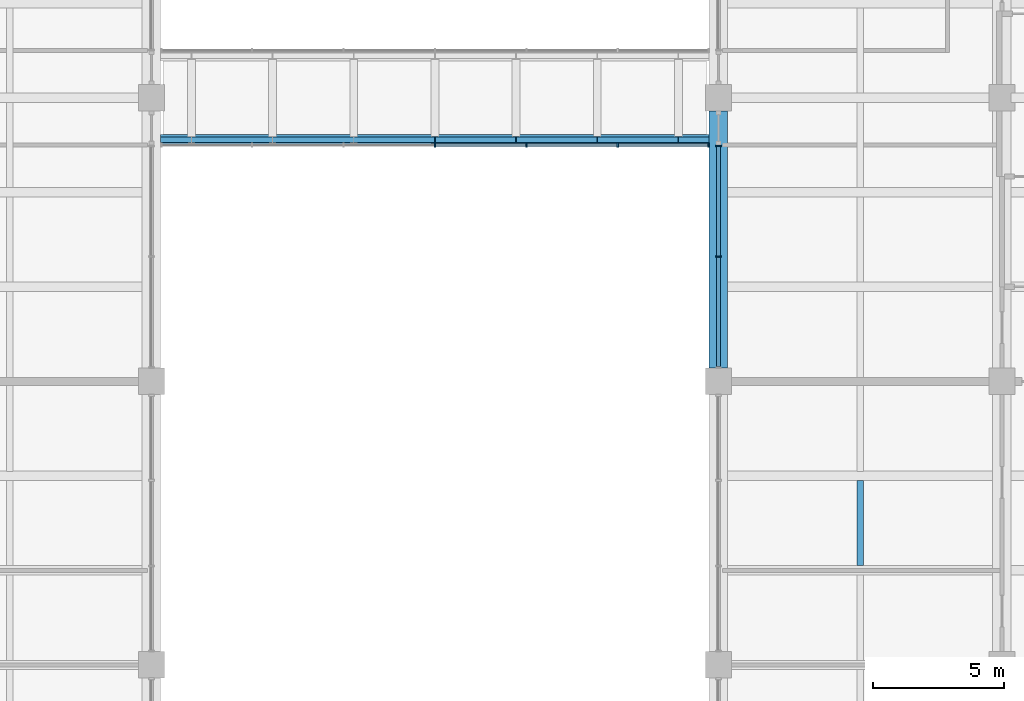
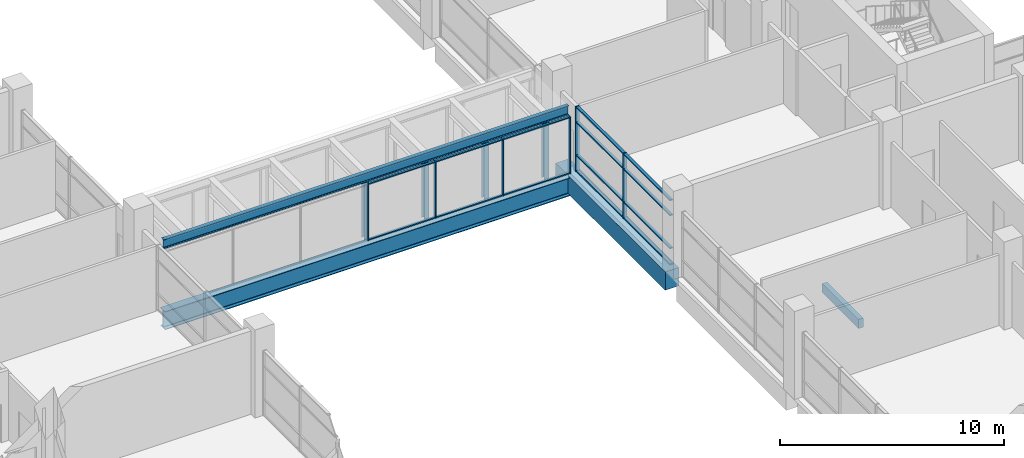
# One storey, part 6 of 35: 25 members, 3 beams, 2 elements without a shape of their own.
"""IFC4 building model written with IfcOpenShell, lengths in metres."""

import ifcopenshell
import ifcopenshell.guid

model = None  # the IFC model being written
_history = None  # IfcOwnerHistory: only IFC2X3 demands one
_inside = {}  # id of a spatial element -> (the spatial element, [elements in it])
_under = {}  # id of a project, library or spatial element -> (it, [spatial elements below it])
_declared = {}  # id of a project -> (the project, [libraries it declares])
_typed = {}  # id of a type object -> (the type object, [elements of that type])
_made_of = {}  # id of a material, layer set ... -> (it, [elements and type objects made of it])


def new_model(schema):
    """Start an empty IFC model of exactly this schema.

    Asked for "IFC4X3", IfcOpenShell would pick the latest addendum, in which some entities
    have other attributes; the version numbers below select the first issue.
    IFC2X3 requires an IfcOwnerHistory on every rooted entity: one is made here for all.
    """
    global model, _history
    if schema == "IFC4X3":
        model = ifcopenshell.file(schema_version=(4, 3, 0, 0))
    else:
        model = ifcopenshell.file(schema=schema)
    _inside.clear()
    _under.clear()
    _declared.clear()
    _typed.clear()
    _made_of.clear()
    _history = None
    if model.schema == "IFC2X3":
        org = make("IfcOrganization", Name="unknown")
        user = make(
            "IfcPersonAndOrganization",
            ThePerson=make("IfcPerson", FamilyName="unknown"),
            TheOrganization=org,
        )
        app = make(
            "IfcApplication",
            ApplicationDeveloper=org,
            Version="unknown",
            ApplicationFullName="unknown",
            ApplicationIdentifier="unknown",
        )
        _history = make(
            "IfcOwnerHistory",
            OwningUser=user,
            OwningApplication=app,
            ChangeAction="ADDED",
            CreationDate=0,
        )
    return model


def make(cls, **values):
    """One entity of the class cls with the attributes given. An attribute that is None is left unset."""
    return model.create_entity(
        cls, **{name: value for name, value in values.items() if value is not None}
    )


def rooted(cls, **values):
    """An entity with a GlobalId (a new one), such as an element, a storey or a relation."""
    return make(cls, GlobalId=ifcopenshell.guid.new(), OwnerHistory=_history, **values)


def si_unit(unit_type, name, prefix=None):
    """IfcSIUnit, for example si_unit("LENGTHUNIT", "METRE", prefix="MILLI")."""
    return make("IfcSIUnit", UnitType=unit_type, Prefix=prefix, Name=name)


def assignment(units):
    """IfcUnitAssignment: the units of a project."""
    return None if units is None else make("IfcUnitAssignment", Units=units)


def point(xyz):
    """IfcCartesianPoint."""
    return None if xyz is None else make("IfcCartesianPoint", Coordinates=xyz)


def direction(xyz):
    """IfcDirection."""
    return None if xyz is None else make("IfcDirection", DirectionRatios=xyz)


def frame(location, z_axis=None, x_axis=None):
    """IfcAxis2Placement3D, a coordinate frame: its origin and axes. An axis left out is left unset."""
    return make(
        "IfcAxis2Placement3D",
        Location=point(location),
        Axis=direction(z_axis),
        RefDirection=direction(x_axis),
    )


def frame_2d(location, x_axis=None):
    """IfcAxis2Placement2D, a coordinate frame in the plane: its origin and x axis."""
    return make(
        "IfcAxis2Placement2D", Location=point(location), RefDirection=direction(x_axis)
    )


def origin():
    """The frame at (0, 0, 0) with its axes left unset."""
    return frame((0.0, 0.0, 0.0))


def origin_2d():
    """The frame at (0, 0) in the plane with its x axis left unset."""
    return frame_2d((0.0, 0.0))


def place(relative_to, where):
    """IfcLocalPlacement: puts the frame where relative to a parent placement (None: the world)."""
    return make(
        "IfcLocalPlacement", PlacementRelTo=relative_to, RelativePlacement=where
    )


def context(
    kind, dimensions, precision=None, world=None, true_north=None, identifier=None
):
    """IfcGeometricRepresentationContext, for example the 3D "Model" context."""
    return make(
        "IfcGeometricRepresentationContext",
        ContextIdentifier=identifier,
        ContextType=kind,
        CoordinateSpaceDimension=dimensions,
        Precision=precision,
        WorldCoordinateSystem=world,
        TrueNorth=true_north,
    )


def subcontext(parent, identifier, kind, view, scale=None):
    """IfcGeometricRepresentationSubContext, for example "Body" below "Model"."""
    return make(
        "IfcGeometricRepresentationSubContext",
        ContextIdentifier=identifier,
        ContextType=kind,
        ParentContext=parent,
        TargetScale=scale,
        TargetView=view,
    )


def project(units=None, contexts=None):
    """IfcProject with its units and contexts."""
    return rooted(
        "IfcProject",
        Name="project",
        RepresentationContexts=contexts,
        UnitsInContext=assignment(units),
    )


def spatial(cls, under=None, at=None, **own):
    """A site, building, storey or space (cls), placed at a placement, below another one or the project."""
    s = rooted(cls, ObjectPlacement=at, **own)
    if under is not None:
        _under.setdefault(under.id(), (under, []))[1].append(s)
    return s


def profile(cls, at=None, kind="AREA", **sizes):
    """A parametric profile (cls). Its sizes go by their IFC names, for example OverallWidth=200.0."""
    return make(cls, ProfileType=kind, Position=at, **sizes)


def rectangle(**sizes):
    """IfcRectangleProfileDef."""
    return profile("IfcRectangleProfileDef", **sizes)


def i_section(**sizes):
    """IfcIShapeProfileDef."""
    return profile("IfcIShapeProfileDef", **sizes)


def extrude(swept, where, along, depth):
    """IfcExtrudedAreaSolid: the profile swept, set in the frame where, extruded along a direction by depth."""
    return make(
        "IfcExtrudedAreaSolid",
        SweptArea=swept,
        Position=where,
        ExtrudedDirection=direction(along),
        Depth=depth,
    )


def shape(context_of_items, identifier, shape_type, items):
    """IfcShapeRepresentation: the items that make up one representation, for example the "Body"."""
    return make(
        "IfcShapeRepresentation",
        ContextOfItems=context_of_items,
        RepresentationIdentifier=identifier,
        RepresentationType=shape_type,
        Items=items,
    )


def material(Name=None, Category=None):
    """IfcMaterial."""
    return make("IfcMaterial", Name=Name, Category=Category)


def layer(
    of_material, thickness, ventilated=None, Name=None, Category=None, Priority=None
):
    """IfcMaterialLayer: one layer of a wall or slab, of a material (None: an air gap)."""
    return make(
        "IfcMaterialLayer",
        Material=of_material,
        LayerThickness=thickness,
        IsVentilated=ventilated,
        Name=Name,
        Category=Category,
        Priority=Priority,
    )


def layer_set(layers, Name=None):
    """IfcMaterialLayerSet."""
    return make("IfcMaterialLayerSet", MaterialLayers=layers, LayerSetName=Name)


def material_profile(
    of_material, cross_section, Name=None, Category=None, Priority=None
):
    """IfcMaterialProfile: a cross section and its material."""
    return make(
        "IfcMaterialProfile",
        Name=Name,
        Material=of_material,
        Profile=cross_section,
        Priority=Priority,
        Category=Category,
    )


def profile_set(profiles, Name=None, composite=None):
    """IfcMaterialProfileSet."""
    return make(
        "IfcMaterialProfileSet",
        Name=Name,
        MaterialProfiles=profiles,
        CompositeProfile=composite,
    )


def made_of(thing, what):
    """Note that an element or type object is made of a material, layer set ...; save() writes the relation."""
    if what is not None:
        _made_of.setdefault(what.id(), (what, []))[1].append(thing)
    return thing


def type_object(cls, material=None, **own):
    """A type object (cls), such as IfcWallType, which elements share."""
    return made_of(rooted(cls, **own), material)


def element(
    cls,
    number,
    at=None,
    inside=None,
    cuts=None,
    type_object=None,
    material=None,
    context=None,
    identifier="Body",
    shape_type=None,
    held_by="IfcProductDefinitionShape",
    body=None,
    shapes=None,
    **own,
):
    """One element of the class cls, such as IfcWall. Its Tag is "e" and its number.

    at: its placement. inside: the storey or other place that contains it. cuts: it is an
    opening in that element (IfcRelVoidsElement). A single representation is given by context,
    identifier, shape_type and body (its items); several are given by shapes. held_by: the class
    of the entity that holds the representations. save() writes the other relations.
    """
    e = rooted(cls, Tag="e%d" % number, ObjectPlacement=at, **own)
    if body is not None:
        shapes = [shape(context, identifier, shape_type, body)]
    if shapes is not None:
        e.Representation = make(held_by, Representations=shapes)
    if inside is not None:
        _inside.setdefault(inside.id(), (inside, []))[1].append(e)
    if cuts is not None:
        rooted(
            "IfcRelVoidsElement", RelatingBuildingElement=cuts, RelatedOpeningElement=e
        )
    if type_object is not None:
        _typed.setdefault(type_object.id(), (type_object, []))[1].append(e)
    return made_of(e, material)


def aggregate(whole, parts):
    """IfcRelAggregates: a whole, such as a stair, and the parts it consists of."""
    return rooted("IfcRelAggregates", RelatingObject=whole, RelatedObjects=parts)


def save(model, path):
    """Write the relations noted so far, then the file.

    IfcRelAggregates (storeys below a building ...), IfcRelContainedInSpatialStructure (elements
    in a storey), IfcRelDefinesByType, IfcRelAssociatesMaterial and IfcRelDeclares: one each for
    every whole, place, type object, material and project.
    """
    for whole, parts in _under.values():
        aggregate(whole, parts)
    for where, things in _inside.values():
        rooted(
            "IfcRelContainedInSpatialStructure",
            RelatedElements=things,
            RelatingStructure=where,
        )
    for kind, things in _typed.values():
        rooted("IfcRelDefinesByType", RelatedObjects=things, RelatingType=kind)
    for what, things in _made_of.values():
        rooted("IfcRelAssociatesMaterial", RelatedObjects=things, RelatingMaterial=what)
    for by, libraries in _declared.values():
        rooted("IfcRelDeclares", RelatingContext=by, RelatedDefinitions=libraries)
    model.write(path)


model = new_model("IFC4")

# Units and contexts
model_context = context("Model", 3, precision=1e-05, world=origin(), true_north=direction((0.0, 1.0)))
body_context = subcontext(model_context, "Body", "Model", "MODEL_VIEW")
ifc_project = project(units=[si_unit("LENGTHUNIT", "METRE"), si_unit("AREAUNIT", "SQUARE_METRE"), si_unit("VOLUMEUNIT", "CUBIC_METRE"), si_unit("PLANEANGLEUNIT", "RADIAN"), si_unit("MASSUNIT", "GRAM", prefix="KILO")], contexts=[model_context])

# Site, building, storey
site_placement = place(None, origin())
site = spatial("IfcSite", under=ifc_project, at=site_placement, CompositionType="ELEMENT")
building_placement = place(site_placement, origin())
building = spatial("IfcBuilding", under=site, at=building_placement, Name="Basin Gate Institute", CompositionType="ELEMENT")
storey_placement = place(building_placement, frame((0.0, 0.0, 31.800048828125)))
storey = spatial("IfcBuildingStorey", under=building, at=storey_placement, Name="L06", CompositionType="ELEMENT", Elevation=31.800048828125)

# Curtain wall, members
ifc_material_1 = material(Name="Aluminium and glass curtain wall", Category="aluminium")
ifc_layer_1 = layer(ifc_material_1, 0.14990234375)
ifc_layer_set_1 = layer_set([ifc_layer_1], Name="Atrium curtain wall CW81")
curtain_wall_type_1 = type_object("IfcCurtainWallType", Name="Atrium curtain wall CW81", PredefinedType="NOTDEFINED", material=ifc_layer_set_1)
curtain_wall_1_placement = place(storey_placement, origin())
curtain_wall_1 = element("IfcCurtainWall", 1, at=curtain_wall_1_placement, inside=storey, type_object=curtain_wall_type_1, material=ifc_layer_set_1, Name="Bridge glazed enclosure L06 1", PredefinedType="NOTDEFINED")
ifc_material_2 = material(Name="Aluminium mullion", Category="aluminium")
ifc_material_profile_1 = material_profile(ifc_material_2, rectangle(XDim=0.159912109375, YDim=0.06005859375, at=origin_2d()), Name="Atrium mullion MU81 160 x 60")
ifc_profile_set_1 = profile_set([ifc_material_profile_1], Name="Aluminium mullion")
member_type_1 = type_object("IfcMemberType", Name="Atrium mullion MU81", PredefinedType="MULLION", material=ifc_profile_set_1)
member_1_placement = place(storey_placement, frame((90.0, 65.699951171875, 0.0), z_axis=(0.0, 0.0, 1.0), x_axis=(0.0, 1.0, 0.0)))
member_1 = element("IfcMember", 2, at=member_1_placement, type_object=member_type_1, material=ifc_profile_set_1, Name="CW81 mullion 4", PredefinedType="MULLION", context=body_context, shape_type="SweptSolid", body=[
    extrude(rectangle(XDim=0.159912109375, YDim=0.06005859375, at=origin_2d()), origin(), (0.0, 0.0, 1.0), 3.099853515625),
])
member_2_placement = place(storey_placement, frame((93.4833984375, 65.699951171875, 0.0), z_axis=(0.0, 0.0, 1.0), x_axis=(0.0, 1.0, 0.0)))
member_2 = element("IfcMember", 3, at=member_2_placement, type_object=member_type_1, material=ifc_profile_set_1, Name="CW81 mullion 5", PredefinedType="MULLION", context=body_context, shape_type="SweptSolid", body=[
    extrude(rectangle(XDim=0.159912109375, YDim=0.06005859375, at=origin_2d()), origin(), (0.0, 0.0, 1.0), 3.099853515625),
])
member_3_placement = place(storey_placement, frame((96.966552734375, 65.699951171875, 0.0), z_axis=(0.0, 0.0, 1.0), x_axis=(0.0, 1.0, 0.0)))
member_3 = element("IfcMember", 4, at=member_3_placement, type_object=member_type_1, material=ifc_profile_set_1, Name="CW81 mullion 6", PredefinedType="MULLION", context=body_context, shape_type="SweptSolid", body=[
    extrude(rectangle(XDim=0.159912109375, YDim=0.06005859375, at=origin_2d()), origin(), (0.0, 0.0, 1.0), 3.099853515625),
])
member_4_placement = place(storey_placement, frame((100.419921875, 65.699951171875, 0.0), z_axis=(0.0, 0.0, 1.0), x_axis=(0.0, 1.0, 0.0)))
member_4 = element("IfcMember", 5, at=member_4_placement, type_object=member_type_1, material=ifc_profile_set_1, Name="CW81 mullion 7", PredefinedType="MULLION", context=body_context, shape_type="SweptSolid", body=[
    extrude(rectangle(XDim=0.159912109375, YDim=0.06005859375, at=origin_2d()), origin(), (0.0, 0.0, 1.0), 3.099853515625),
])
ifc_material_3 = material(Name="Aluminium transom", Category="aluminium")
ifc_material_profile_2 = material_profile(ifc_material_3, rectangle(XDim=0.1201171875, YDim=0.06005859375, at=origin_2d()), Name="Atrium transom TR81 120 x 60")
ifc_profile_set_2 = profile_set([ifc_material_profile_2], Name="Aluminium transom")
member_type_2 = type_object("IfcMemberType", Name="Atrium transom TR81", PredefinedType="USERDEFINED", material=ifc_profile_set_2)
member_5_placement = place(storey_placement, frame((90.030029296875, 65.699951171875, 0.030029296875), z_axis=(1.0, 0.0, 0.0), x_axis=(0.0, 1.0, 0.0)))
member_5 = element("IfcMember", 6, at=member_5_placement, type_object=member_type_2, material=ifc_profile_set_2, Name="CW81 transom 4.1", ObjectType="TRANSOM", PredefinedType="USERDEFINED", context=body_context, shape_type="SweptSolid", body=[
    extrude(rectangle(XDim=0.1201171875, YDim=0.06005859375, at=origin_2d()), origin(), (0.0, 0.0, 1.0), 3.42333984375),
])
member_6_placement = place(storey_placement, frame((90.030029296875, 65.699951171875, 3.070068359375), z_axis=(1.0, 0.0, 0.0), x_axis=(0.0, 1.0, 0.0)))
member_6 = element("IfcMember", 7, at=member_6_placement, type_object=member_type_2, material=ifc_profile_set_2, Name="CW81 transom 4.2", ObjectType="TRANSOM", PredefinedType="USERDEFINED", context=body_context, shape_type="SweptSolid", body=[
    extrude(rectangle(XDim=0.1201171875, YDim=0.06005859375, at=origin_2d()), origin(), (0.0, 0.0, 1.0), 3.42333984375),
])
member_7_placement = place(storey_placement, frame((93.513427734375, 65.699951171875, 0.030029296875), z_axis=(1.0, 0.0, 0.0), x_axis=(0.0, 1.0, 0.0)))
member_7 = element("IfcMember", 8, at=member_7_placement, type_object=member_type_2, material=ifc_profile_set_2, Name="CW81 transom 5.1", ObjectType="TRANSOM", PredefinedType="USERDEFINED", context=body_context, shape_type="SweptSolid", body=[
    extrude(rectangle(XDim=0.1201171875, YDim=0.06005859375, at=origin_2d()), origin(), (0.0, 0.0, 1.0), 3.42333984375),
])
member_8_placement = place(storey_placement, frame((93.513427734375, 65.699951171875, 3.070068359375), z_axis=(1.0, 0.0, 0.0), x_axis=(0.0, 1.0, 0.0)))
member_8 = element("IfcMember", 9, at=member_8_placement, type_object=member_type_2, material=ifc_profile_set_2, Name="CW81 transom 5.2", ObjectType="TRANSOM", PredefinedType="USERDEFINED", context=body_context, shape_type="SweptSolid", body=[
    extrude(rectangle(XDim=0.1201171875, YDim=0.06005859375, at=origin_2d()), origin(), (0.0, 0.0, 1.0), 3.42333984375),
])
member_9_placement = place(storey_placement, frame((96.99658203125, 65.699951171875, 0.030029296875), z_axis=(1.0, 0.0, 0.0), x_axis=(0.0, 1.0, 0.0)))
member_9 = element("IfcMember", 10, at=member_9_placement, type_object=member_type_2, material=ifc_profile_set_2, Name="CW81 transom 6.1", ObjectType="TRANSOM", PredefinedType="USERDEFINED", context=body_context, shape_type="SweptSolid", body=[
    extrude(rectangle(XDim=0.1201171875, YDim=0.06005859375, at=origin_2d()), origin(), (0.0, 0.0, 1.0), 3.393310546875),
])
member_10_placement = place(storey_placement, frame((96.99658203125, 65.699951171875, 3.070068359375), z_axis=(1.0, 0.0, 0.0), x_axis=(0.0, 1.0, 0.0)))
member_10 = element("IfcMember", 11, at=member_10_placement, type_object=member_type_2, material=ifc_profile_set_2, Name="CW81 transom 6.2", ObjectType="TRANSOM", PredefinedType="USERDEFINED", context=body_context, shape_type="SweptSolid", body=[
    extrude(rectangle(XDim=0.1201171875, YDim=0.06005859375, at=origin_2d()), origin(), (0.0, 0.0, 1.0), 3.393310546875),
])
aggregate(curtain_wall_1, [member_1, member_2, member_3, member_4, member_5, member_6, member_7, member_8, member_9, member_10])

# Beam
ifc_material_4 = material(Name="Structural steel SN490", Category="steel")
ifc_material_profile_3 = material_profile(ifc_material_4, i_section(OverallWidth=0.39990234375, OverallDepth=1.0, WebThickness=0.01904296875, FlangeThickness=0.031982421875, FilletRadius=0.030029296875, at=origin_2d()), Name="H1000x400")
ifc_profile_set_3 = profile_set([ifc_material_profile_3], Name="Structural steel SN490")
beam_type_1 = type_object("IfcBeamType", Name="Bridge girder SG3 R120", PredefinedType="BEAM", material=ifc_profile_set_3)
beam_1_placement = place(storey_placement, frame((79.550048828125, 65.89990234375, -0.75), z_axis=(1.0, 0.0, 0.0), x_axis=(0.0, 1.0, 0.0)))
element("IfcBeam", 12, at=beam_1_placement, inside=storey, type_object=beam_type_1, material=ifc_profile_set_3, Name="Bridge floor girder R120 L06 1", PredefinedType="BEAM", context=body_context, shape_type="SweptSolid", body=[
    extrude(i_section(OverallWidth=0.39990234375, OverallDepth=1.0, WebThickness=0.01904296875, FlangeThickness=0.031982421875, FilletRadius=0.030029296875, at=origin_2d()), origin(), (0.0, 0.0, 1.0), 20.89990234375),
])

# Members
ifc_material_5 = material(Name="Structural steel SN490", Category="steel")
ifc_material_profile_4 = material_profile(ifc_material_5, i_section(OverallWidth=0.25, OverallDepth=0.25, WebThickness=0.009033203125, FlangeThickness=0.013916015625, FilletRadius=0.01611328125, at=origin_2d()), Name="H250x250")
ifc_profile_set_4 = profile_set([ifc_material_profile_4], Name="Structural steel SN490")
member_type_3 = type_object("IfcMemberType", Name="Bridge post TC3 R120", PredefinedType="POST", material=ifc_profile_set_4)
for number, where, z_axis, x_axis, name in (
    (13, (90.0, 65.89990234375, 0.0), (0.0, 0.0, 1.0), (1.0, 0.0, 0.0), "Bridge post R120 L06 1.4"),
    (14, (93.091552734375, 65.89990234375, 0.0), (0.0, 0.0, 1.0), (1.0, 0.0, 0.0), "Bridge post R120 L06 1.5"),
    (15, (96.183349609375, 65.89990234375, 0.0), (0.0, 0.0, 1.0), (1.0, 0.0, 0.0), "Bridge post R120 L06 1.6"),
    (16, (99.27490234375, 65.89990234375, 0.0), (0.0, 0.0, 1.0), (1.0, 0.0, 0.0), "Bridge post R120 L06 1.7"),
):
    element("IfcMember", number, at=place(storey_placement, frame(where, z_axis=z_axis, x_axis=x_axis)), inside=storey, type_object=member_type_3, material=ifc_profile_set_4, Name=name, PredefinedType="POST", context=body_context, shape_type="SweptSolid", body=[
        extrude(i_section(OverallWidth=0.25, OverallDepth=0.25, WebThickness=0.009033203125, FlangeThickness=0.013916015625, FilletRadius=0.01611328125, at=origin_2d()), origin(), (0.0, 0.0, 1.0), 3.099853515625),
    ])

# Beam
ifc_material_6 = material(Name="Concrete 50 MPa", Category="concrete")
ifc_material_profile_5 = material_profile(ifc_material_6, rectangle(XDim=0.699951171875, YDim=1.0, at=origin_2d()), Name="Girder G1 700 x 1000")
ifc_profile_set_5 = profile_set([ifc_material_profile_5], Name="Concrete 50 MPa")
beam_type_2 = type_object("IfcBeamType", Name="Girder G1 R120", PredefinedType="BEAM", material=ifc_profile_set_5)
beam_2_placement = place(storey_placement, frame((100.800048828125, 57.199951171875, -0.75), z_axis=(0.0, 1.0, 0.0), x_axis=(-1.0, 0.0, 0.0)))
element("IfcBeam", 17, at=beam_2_placement, inside=storey, type_object=beam_type_2, material=ifc_profile_set_5, Name="GIR/L06/E7/3", PredefinedType="BEAM", context=body_context, shape_type="SweptSolid", body=[
    extrude(rectangle(XDim=0.699951171875, YDim=1.0, at=origin_2d()), origin(), (0.0, 0.0, 1.0), 9.800048828125),
])

# Curtain wall, members
ifc_material_7 = material(Name="Aluminium-framed glazing", Category="aluminium")
ifc_layer_2 = layer(ifc_material_7, 0.199951171875)
ifc_layer_set_2 = layer_set([ifc_layer_2], Name="Atrium curtain wall CW2")
curtain_wall_type_2 = type_object("IfcCurtainWallType", Name="Atrium curtain wall CW2", PredefinedType="NOTDEFINED", material=ifc_layer_set_2)
curtain_wall_2_placement = place(storey_placement, origin())
curtain_wall_2 = element("IfcCurtainWall", 18, at=curtain_wall_2_placement, inside=storey, type_object=curtain_wall_type_2, material=ifc_layer_set_2, Name="Atrium curtain wall E wing atrium bay 3 L06 part 1", PredefinedType="NOTDEFINED")
ifc_material_8 = material(Name="Aluminium", Category="aluminium")
ifc_material_profile_6 = material_profile(ifc_material_8, rectangle(XDim=0.199951171875, YDim=0.06005859375, at=origin_2d()), Name="Mullion MU2 200 x 60")
ifc_profile_set_6 = profile_set([ifc_material_profile_6], Name="Aluminium")
member_type_4 = type_object("IfcMemberType", Name="Mullion MU2", PredefinedType="MULLION", material=ifc_profile_set_6)
member_11_placement = place(storey_placement, frame((100.800048828125, 61.449951171875, 0.0), z_axis=(0.0, 0.0, 1.0), x_axis=(-1.0, 0.0, 0.0)))
member_11 = element("IfcMember", 19, at=member_11_placement, type_object=member_type_4, material=ifc_profile_set_6, Name="CW2 mullion 2", PredefinedType="MULLION", context=body_context, shape_type="SweptSolid", body=[
    extrude(rectangle(XDim=0.199951171875, YDim=0.06005859375, at=origin_2d()), origin(), (0.0, 0.0, 1.0), 3.550048828125),
])
member_12_placement = place(storey_placement, frame((100.800048828125, 65.669921875, 0.0), z_axis=(0.0, 0.0, 1.0), x_axis=(-1.0, 0.0, 0.0)))
member_12 = element("IfcMember", 20, at=member_12_placement, type_object=member_type_4, material=ifc_profile_set_6, Name="CW2 mullion 3", PredefinedType="MULLION", context=body_context, shape_type="SweptSolid", body=[
    extrude(rectangle(XDim=0.199951171875, YDim=0.06005859375, at=origin_2d()), origin(), (0.0, 0.0, 1.0), 3.550048828125),
])

# Beam
ifc_material_9 = material(Name="Concrete 40 MPa", Category="concrete")
ifc_material_profile_7 = material_profile(ifc_material_9, rectangle(XDim=0.25, YDim=0.5, at=origin_2d()), Name="Rib R1 250 x 500")
ifc_profile_set_7 = profile_set([ifc_material_profile_7], Name="Concrete 40 MPa")
beam_type_3 = type_object("IfcBeamType", Name="Rib R1 R120", PredefinedType="JOIST", material=ifc_profile_set_7)
beam_3_placement = place(storey_placement, frame((106.199951171875, 49.675048828125, -0.5), z_axis=(0.0, 1.0, 0.0), x_axis=(-1.0, 0.0, 0.0)))
element("IfcBeam", 21, at=beam_3_placement, inside=storey, type_object=beam_type_3, material=ifc_profile_set_7, Name="BEAM/L06/E/RIB/05", PredefinedType="JOIST", context=body_context, shape_type="SweptSolid", body=[
    extrude(rectangle(XDim=0.25, YDim=0.5, at=origin_2d()), origin(), (0.0, 0.0, 1.0), 3.25),
])

# Member
ifc_material_10 = material(Name="Structural steel SN490", Category="steel")
ifc_material_profile_8 = material_profile(ifc_material_10, i_section(OverallWidth=0.199951171875, OverallDepth=0.5, WebThickness=0.010009765625, FlangeThickness=0.01611328125, FilletRadius=0.02001953125, at=origin_2d()), Name="H500x200")
ifc_profile_set_8 = profile_set([ifc_material_profile_8], Name="Structural steel SN490")
member_type_5 = type_object("IfcMemberType", Name="Roof purlin SB1 R120", PredefinedType="PURLIN", material=ifc_profile_set_8)
member_13_placement = place(storey_placement, frame((79.550048828125, 65.89990234375, 3.349853515625), z_axis=(1.0, 0.0, 0.0), x_axis=(0.0, 1.0, 0.0)))
element("IfcMember", 22, at=member_13_placement, inside=storey, type_object=member_type_5, material=ifc_profile_set_8, Name="Bridge edge beam L06 1", PredefinedType="PURLIN", context=body_context, shape_type="SweptSolid", body=[
    extrude(i_section(OverallWidth=0.199951171875, OverallDepth=0.5, WebThickness=0.010009765625, FlangeThickness=0.01611328125, FilletRadius=0.02001953125, at=origin_2d()), origin(), (0.0, 0.0, 1.0), 20.89990234375),
])

ifc_material_11 = material(Name="Aluminium", Category="aluminium")
ifc_material_profile_9 = material_profile(ifc_material_11, rectangle(XDim=0.14990234375, YDim=0.06005859375, at=origin_2d()), Name="Transom TR2 150 x 60")
ifc_profile_set_9 = profile_set([ifc_material_profile_9], Name="Aluminium")
member_type_6 = type_object("IfcMemberType", Name="Transom TR2", PredefinedType="USERDEFINED", material=ifc_profile_set_9)
member_14_placement = place(storey_placement, frame((100.800048828125, 57.260009765625, 0.030029296875), z_axis=(0.0, 1.0, 0.0), x_axis=(-1.0, 0.0, 0.0)))
member_14 = element("IfcMember", 23, at=member_14_placement, type_object=member_type_6, material=ifc_profile_set_9, Name="CW2 transom 1.1", ObjectType="TRANSOM", PredefinedType="USERDEFINED", context=body_context, shape_type="SweptSolid", body=[
    extrude(rectangle(XDim=0.14990234375, YDim=0.06005859375, at=origin_2d()), origin(), (0.0, 0.0, 1.0), 4.159912109375),
])

member_15_placement = place(storey_placement, frame((100.800048828125, 57.260009765625, 0.89990234375), z_axis=(0.0, 1.0, 0.0), x_axis=(-1.0, 0.0, 0.0)))
member_15 = element("IfcMember", 24, at=member_15_placement, type_object=member_type_6, material=ifc_profile_set_9, Name="CW2 transom 1.2", ObjectType="TRANSOM", PredefinedType="USERDEFINED", context=body_context, shape_type="SweptSolid", body=[
    extrude(rectangle(XDim=0.14990234375, YDim=0.06005859375, at=origin_2d()), origin(), (0.0, 0.0, 1.0), 4.159912109375),
])

member_16_placement = place(storey_placement, frame((100.800048828125, 57.260009765625, 2.699951171875), z_axis=(0.0, 1.0, 0.0), x_axis=(-1.0, 0.0, 0.0)))
member_16 = element("IfcMember", 25, at=member_16_placement, type_object=member_type_6, material=ifc_profile_set_9, Name="CW2 transom 1.3", ObjectType="TRANSOM", PredefinedType="USERDEFINED", context=body_context, shape_type="SweptSolid", body=[
    extrude(rectangle(XDim=0.14990234375, YDim=0.06005859375, at=origin_2d()), origin(), (0.0, 0.0, 1.0), 4.159912109375),
])

member_17_placement = place(storey_placement, frame((100.800048828125, 57.260009765625, 3.52001953125), z_axis=(0.0, 1.0, 0.0), x_axis=(-1.0, 0.0, 0.0)))
member_17 = element("IfcMember", 26, at=member_17_placement, type_object=member_type_6, material=ifc_profile_set_9, Name="CW2 transom 1.4", ObjectType="TRANSOM", PredefinedType="USERDEFINED", context=body_context, shape_type="SweptSolid", body=[
    extrude(rectangle(XDim=0.14990234375, YDim=0.06005859375, at=origin_2d()), origin(), (0.0, 0.0, 1.0), 4.159912109375),
])

member_18_placement = place(storey_placement, frame((100.800048828125, 61.47998046875, 0.030029296875), z_axis=(0.0, 1.0, 0.0), x_axis=(-1.0, 0.0, 0.0)))
member_18 = element("IfcMember", 27, at=member_18_placement, type_object=member_type_6, material=ifc_profile_set_9, Name="CW2 transom 2.1", ObjectType="TRANSOM", PredefinedType="USERDEFINED", context=body_context, shape_type="SweptSolid", body=[
    extrude(rectangle(XDim=0.14990234375, YDim=0.06005859375, at=origin_2d()), origin(), (0.0, 0.0, 1.0), 4.159912109375),
])

member_19_placement = place(storey_placement, frame((100.800048828125, 61.47998046875, 0.89990234375), z_axis=(0.0, 1.0, 0.0), x_axis=(-1.0, 0.0, 0.0)))
member_19 = element("IfcMember", 28, at=member_19_placement, type_object=member_type_6, material=ifc_profile_set_9, Name="CW2 transom 2.2", ObjectType="TRANSOM", PredefinedType="USERDEFINED", context=body_context, shape_type="SweptSolid", body=[
    extrude(rectangle(XDim=0.14990234375, YDim=0.06005859375, at=origin_2d()), origin(), (0.0, 0.0, 1.0), 4.159912109375),
])

member_20_placement = place(storey_placement, frame((100.800048828125, 61.47998046875, 2.699951171875), z_axis=(0.0, 1.0, 0.0), x_axis=(-1.0, 0.0, 0.0)))
member_20 = element("IfcMember", 29, at=member_20_placement, type_object=member_type_6, material=ifc_profile_set_9, Name="CW2 transom 2.3", ObjectType="TRANSOM", PredefinedType="USERDEFINED", context=body_context, shape_type="SweptSolid", body=[
    extrude(rectangle(XDim=0.14990234375, YDim=0.06005859375, at=origin_2d()), origin(), (0.0, 0.0, 1.0), 4.159912109375),
])

member_21_placement = place(storey_placement, frame((100.800048828125, 61.47998046875, 3.52001953125), z_axis=(0.0, 1.0, 0.0), x_axis=(-1.0, 0.0, 0.0)))
member_21 = element("IfcMember", 30, at=member_21_placement, type_object=member_type_6, material=ifc_profile_set_9, Name="CW2 transom 2.4", ObjectType="TRANSOM", PredefinedType="USERDEFINED", context=body_context, shape_type="SweptSolid", body=[
    extrude(rectangle(XDim=0.14990234375, YDim=0.06005859375, at=origin_2d()), origin(), (0.0, 0.0, 1.0), 4.159912109375),
])

aggregate(curtain_wall_2, [member_11, member_12, member_14, member_15, member_16, member_17, member_18, member_19, member_20, member_21])

save(model, "model.ifc")
